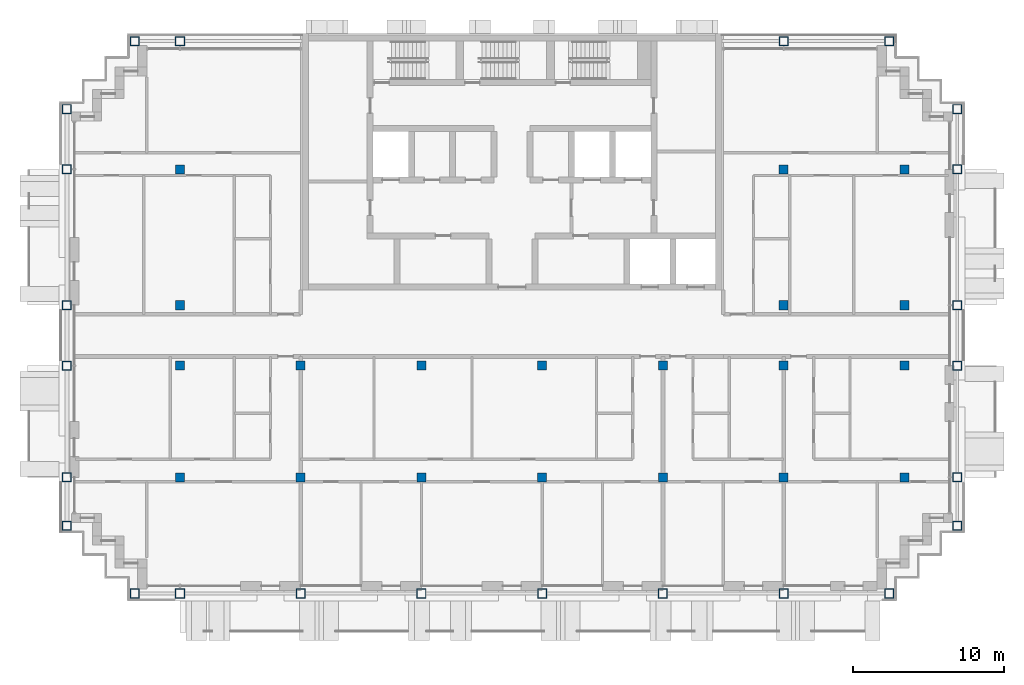
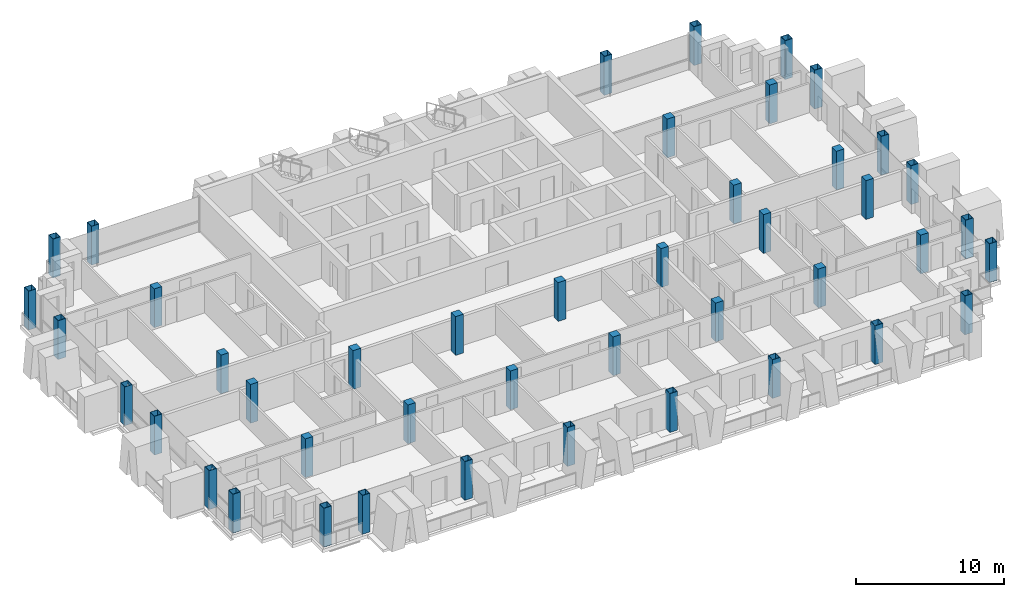
# One storey, part 1 of 15: 44 columns.
"""IFC4 building model written with IfcOpenShell, lengths in metres."""

from ifc_helpers import new_model, si_unit, direction, frame, origin, origin_2d, place, context, subcontext, project, spatial, rectangle, hollow_rectangle, extrude, material, material_profile, profile_set, type_object, element, save


model = new_model("IFC4")

# Units and contexts
model_context = context("Model", 3, precision=1e-05, world=origin(), true_north=direction((0.0, 1.0)))
body_context = subcontext(model_context, "Body", "Model", "MODEL_VIEW")
ifc_project = project(units=[si_unit("LENGTHUNIT", "METRE"), si_unit("AREAUNIT", "SQUARE_METRE"), si_unit("VOLUMEUNIT", "CUBIC_METRE"), si_unit("PLANEANGLEUNIT", "RADIAN"), si_unit("MASSUNIT", "GRAM", prefix="KILO")], contexts=[model_context])

# Site, building, storey
site_placement = place(None, origin())
site = spatial("IfcSite", under=ifc_project, at=site_placement, CompositionType="ELEMENT")
building_placement = place(site_placement, origin())
building = spatial("IfcBuilding", under=site, at=building_placement, Name="Vidyagriha Tower", CompositionType="ELEMENT")
storey_placement = place(building_placement, frame((0.0, 0.0, 210.800048828125)))
storey = spatial("IfcBuildingStorey", under=building, at=storey_placement, Name="L54", CompositionType="ELEMENT", Elevation=210.800048828125)

# Columns
ifc_material_1 = material(Name="Steel ASTM A572 Grade 50", Category="steel")
ifc_material_profile_1 = material_profile(ifc_material_1, hollow_rectangle(XDim=0.60009765625, YDim=0.60009765625, WallThickness=0.030029296875, at=origin_2d()), Name="BOX 600x600x30")
ifc_profile_set_1 = profile_set([ifc_material_profile_1], Name="Steel ASTM A572 Grade 50")
column_type_1 = type_object("IfcColumnType", Name="Exoskeleton column BOX 600x600x30", PredefinedType="COLUMN", material=ifc_profile_set_1)
for number, where, name in (
    (1, (-25.0, -17.10009765625, 0.0), "st-col-L54-B5-001"),
    (2, (-22.0, -17.10009765625, 0.0), "st-col-L54-B5-002"),
    (3, (-14.0, -17.10009765625, 0.0), "st-col-L54-B5-003"),
    (4, (-6.0, -17.10009765625, 0.0), "st-col-L54-B5-004"),
    (5, (2.0, -17.10009765625, 0.0), "st-col-L54-B5-005"),
    (6, (10.0, -17.10009765625, 0.0), "st-col-L54-B5-006"),
    (7, (18.0, -17.10009765625, 0.0), "st-col-L54-B5-007"),
    (8, (25.0, -17.10009765625, 0.0), "st-col-L54-B5-008"),
    (9, (-29.5, -12.60009765625, 0.0), "st-col-L54-B5-009"),
    (10, (29.5, -12.60009765625, 0.0), "st-col-L54-B5-010"),
    (11, (-29.5, -9.39990234375, 0.0), "st-col-L54-B5-011"),
    (12, (29.5, -9.39990234375, 0.0), "st-col-L54-B5-019"),
    (13, (-29.5, -2.0, 0.0), "st-col-L54-B5-020"),
    (14, (29.5, -2.0, 0.0), "st-col-L54-B5-028"),
    (15, (-29.5, 2.0, 0.0), "st-col-L54-B5-029"),
    (16, (29.5, 2.0, 0.0), "st-col-L54-B5-033"),
    (17, (-29.5, 11.0, 0.0), "st-col-L54-B5-034"),
    (18, (29.5, 11.0, 0.0), "st-col-L54-B5-038"),
    (19, (-29.5, 15.0, 0.0), "st-col-L54-B5-039"),
    (20, (29.5, 15.0, 0.0), "st-col-L54-B5-040"),
    (21, (-25.0, 19.5, 0.0), "st-col-L54-B5-041"),
    (22, (-22.0, 19.5, 0.0), "st-col-L54-B5-042"),
    (23, (18.0, 19.5, 0.0), "st-col-L54-B5-043"),
    (24, (25.0, 19.5, 0.0), "st-col-L54-B5-044"),
):
    element("IfcColumn", number, at=place(storey_placement, frame(where)), inside=storey, type_object=column_type_1, Name=name, PredefinedType="COLUMN", context=body_context, shape_type="SweptSolid", body=[
        extrude(hollow_rectangle(XDim=0.60009765625, YDim=0.60009765625, WallThickness=0.030029296875, at=origin_2d()), origin(), (0.0, 0.0, 1.0), 3.199951171875),
    ])
ifc_material_2 = material(Name="Concrete C60/75", Category="concrete")
ifc_material_profile_2 = material_profile(ifc_material_2, rectangle(XDim=0.60009765625, YDim=0.60009765625, at=origin_2d()), Name="RC 600x600")
ifc_profile_set_2 = profile_set([ifc_material_profile_2], Name="Concrete C60/75")
column_type_2 = type_object("IfcColumnType", Name="Frame column RC 600x600", PredefinedType="COLUMN", material=ifc_profile_set_2)
for number, where, name in (
    (25, (-22.0, -9.39990234375, 0.0), "st-col-L54-B5-012"),
    (26, (-14.0, -9.39990234375, 0.0), "st-col-L54-B5-013"),
    (27, (-6.0, -9.39990234375, 0.0), "st-col-L54-B5-014"),
    (28, (2.0, -9.39990234375, 0.0), "st-col-L54-B5-015"),
    (29, (10.0, -9.39990234375, 0.0), "st-col-L54-B5-016"),
    (30, (18.0, -9.39990234375, 0.0), "st-col-L54-B5-017"),
    (31, (26.0, -9.39990234375, 0.0), "st-col-L54-B5-018"),
    (32, (-22.0, -2.0, 0.0), "st-col-L54-B5-021"),
    (33, (-14.0, -2.0, 0.0), "st-col-L54-B5-022"),
    (34, (-6.0, -2.0, 0.0), "st-col-L54-B5-023"),
    (35, (2.0, -2.0, 0.0), "st-col-L54-B5-024"),
    (36, (10.0, -2.0, 0.0), "st-col-L54-B5-025"),
    (37, (18.0, -2.0, 0.0), "st-col-L54-B5-026"),
    (38, (26.0, -2.0, 0.0), "st-col-L54-B5-027"),
    (39, (-22.0, 2.0, 0.0), "st-col-L54-B5-030"),
    (40, (18.0, 2.0, 0.0), "st-col-L54-B5-031"),
    (41, (26.0, 2.0, 0.0), "st-col-L54-B5-032"),
    (42, (-22.0, 11.0, 0.0), "st-col-L54-B5-035"),
    (43, (18.0, 11.0, 0.0), "st-col-L54-B5-036"),
    (44, (26.0, 11.0, 0.0), "st-col-L54-B5-037"),
):
    element("IfcColumn", number, at=place(storey_placement, frame(where)), inside=storey, type_object=column_type_2, Name=name, PredefinedType="COLUMN", context=body_context, shape_type="SweptSolid", body=[
        extrude(rectangle(XDim=0.60009765625, YDim=0.60009765625, at=origin_2d()), origin(), (0.0, 0.0, 1.0), 3.199951171875),
    ])

save(model, "model.ifc")
